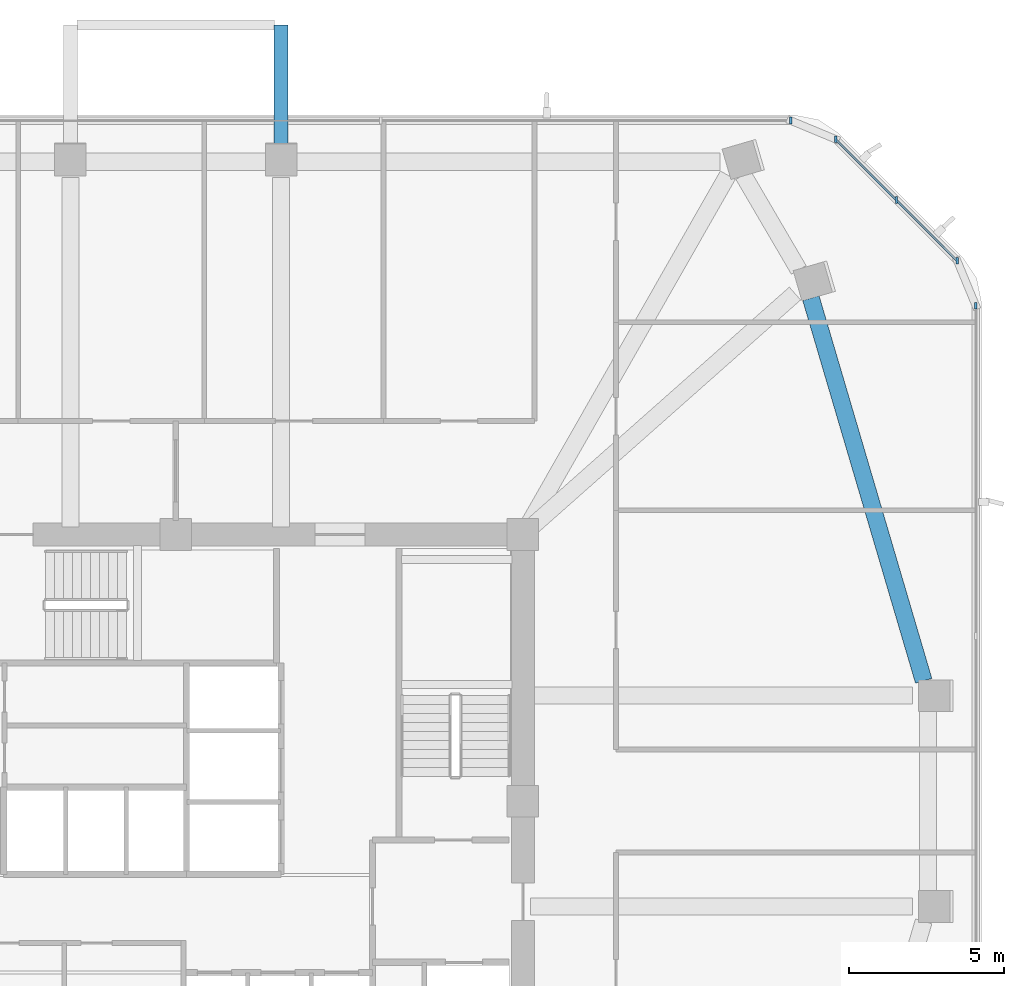
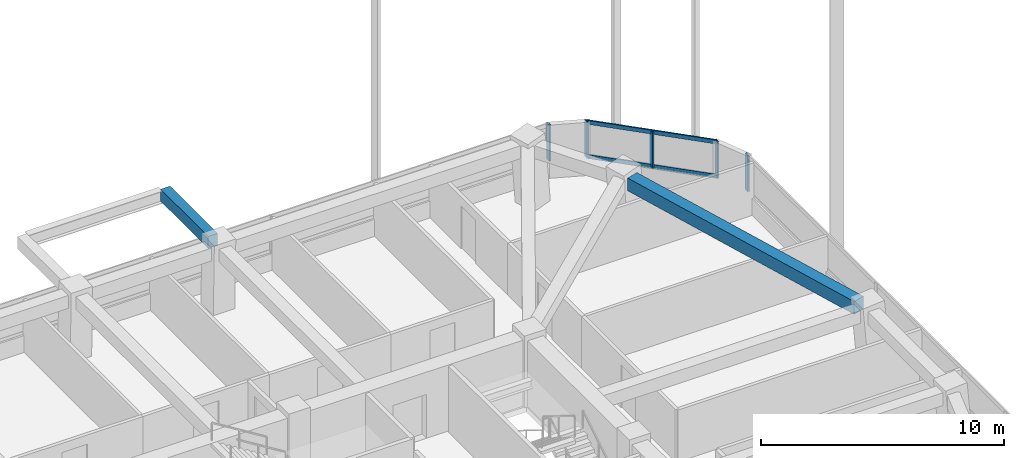
# One storey, part 6 of 15: 7 members, 2 beams, 3 elements without a shape of their own.
"""IFC4 building model written with IfcOpenShell, lengths in metres."""

from ifc_helpers import new_model, si_unit, derived_unit, direction, frame, origin, origin_2d, place, context, subcontext, project, spatial, rectangle, extrude, material, material_profile, profile_set, type_object, element, aggregate, save


model = new_model("IFC4")

# Units and contexts
model_context = context("Model", 3, precision=1e-05, world=origin(), true_north=direction((0.0, 1.0)))
body_context = subcontext(model_context, "Body", "Model", "MODEL_VIEW")
ifc_project = project(units=[si_unit("LENGTHUNIT", "METRE"), si_unit("AREAUNIT", "SQUARE_METRE"), si_unit("VOLUMEUNIT", "CUBIC_METRE"), si_unit("PLANEANGLEUNIT", "RADIAN"), si_unit("MASSUNIT", "GRAM", prefix="KILO"), derived_unit("THERMALTRANSMITTANCEUNIT", [(si_unit("POWERUNIT", "WATT"), 1), (si_unit("LENGTHUNIT", "METRE"), -2), (si_unit("THERMODYNAMICTEMPERATUREUNIT", "KELVIN"), -1)])], contexts=[model_context])

# Site, building, storey
site_placement = place(None, origin())
site = spatial("IfcSite", under=ifc_project, at=site_placement, CompositionType="ELEMENT")
building_placement = place(site_placement, origin())
building = spatial("IfcBuilding", under=site, at=building_placement, Name="Koralith Skygarden Medical Center", CompositionType="ELEMENT")
storey_placement = place(building_placement, frame((0.0, 0.0, 99.179931640625)))
storey = spatial("IfcBuildingStorey", under=building, at=storey_placement, Name="L25", CompositionType="ELEMENT", Elevation=99.179931640625)

# Curtain wall, member
ifc_material_1 = material(Name="Clear Laminated Glass", Category="glass")
curtain_wall_type = type_object("IfcCurtainWallType", Name="CW-3 Zone 2 Faceted Solar Curtain Wall", PredefinedType="NOTDEFINED", material=ifc_material_1)
curtain_wall_1_placement = place(storey_placement, origin())
curtain_wall_1 = element("IfcCurtainWall", 1, at=curtain_wall_1_placement, inside=storey, type_object=curtain_wall_type, Name="Curtain Wall CW-L25-E", PredefinedType="NOTDEFINED")
ifc_material_2 = material(Name="Aluminium 6063-T6", Category="aluminium")
ifc_material_profile_1 = material_profile(ifc_material_2, rectangle(XDim=0.073974609375, YDim=0.219970703125, at=origin_2d()), Name="MUL74X220")
ifc_profile_set_1 = profile_set([ifc_material_profile_1], Name="Aluminium 6063-T6")
member_type_1 = type_object("IfcMemberType", Name="CW-3 Extruded Mullion 74x220", PredefinedType="MULLION", material=ifc_profile_set_1)
member_1_placement = place(storey_placement, frame((62.81298828125, 41.87890625, 0.85009765625), z_axis=(0.0, 0.0, 1.0), x_axis=(1.0, 0.0, 0.0)))
member_1 = element("IfcMember", 2, at=member_1_placement, type_object=member_type_1, Name="CW-L25-E Mullion 4", PredefinedType="MULLION", context=body_context, shape_type="SweptSolid", body=[
    extrude(rectangle(XDim=0.073974609375, YDim=0.219970703125, at=origin_2d()), origin(), (0.0, 0.0, 1.0), 1.820068359375),
])
aggregate(curtain_wall_1, [member_1])

# Curtain wall, members
curtain_wall_2_placement = place(storey_placement, origin())
curtain_wall_2 = element("IfcCurtainWall", 3, at=curtain_wall_2_placement, inside=storey, type_object=curtain_wall_type, Name="Curtain Wall CW-L25-NE", PredefinedType="NOTDEFINED")
member_2_placement = place(storey_placement, frame((62.2119140625, 43.330078125, 0.85009765625), z_axis=(0.0, 0.0, 1.0), x_axis=(1.0, 0.0, 0.0)))
member_2 = element("IfcMember", 4, at=member_2_placement, type_object=member_type_1, Name="CW-L25-NE Mullion 1", PredefinedType="MULLION", context=body_context, shape_type="SweptSolid", body=[
    extrude(rectangle(XDim=0.073974609375, YDim=0.219970703125, at=origin_2d()), origin(), (0.0, 0.0, 1.0), 1.820068359375),
])
member_3_placement = place(storey_placement, frame((60.2509765625, 45.291015625, 0.85009765625), z_axis=(0.0, 0.0, 1.0), x_axis=(1.0, 0.0, 0.0)))
member_3 = element("IfcMember", 5, at=member_3_placement, type_object=member_type_1, Name="CW-L25-NE Mullion 2", PredefinedType="MULLION", context=body_context, shape_type="SweptSolid", body=[
    extrude(rectangle(XDim=0.073974609375, YDim=0.219970703125, at=origin_2d()), origin(), (0.0, 0.0, 1.0), 1.820068359375),
])
member_4_placement = place(storey_placement, frame((58.2890625, 47.2529296875, 0.85009765625), z_axis=(0.0, 0.0, 1.0), x_axis=(1.0, 0.0, 0.0)))
member_4 = element("IfcMember", 6, at=member_4_placement, type_object=member_type_1, Name="CW-L25-NE Mullion 3", PredefinedType="MULLION", context=body_context, shape_type="SweptSolid", body=[
    extrude(rectangle(XDim=0.073974609375, YDim=0.219970703125, at=origin_2d()), origin(), (0.0, 0.0, 1.0), 1.820068359375),
])

# Curtain wall, member
curtain_wall_3_placement = place(storey_placement, origin())
curtain_wall_3 = element("IfcCurtainWall", 7, at=curtain_wall_3_placement, inside=storey, type_object=curtain_wall_type, Name="Curtain Wall CW-L25-N", PredefinedType="NOTDEFINED")
member_5_placement = place(storey_placement, frame((56.837890625, 47.85498046875, 0.85009765625), z_axis=(0.0, 0.0, 1.0), x_axis=(1.0, 0.0, 0.0)))
member_5 = element("IfcMember", 8, at=member_5_placement, type_object=member_type_1, Name="CW-L25-N Mullion 1", PredefinedType="MULLION", context=body_context, shape_type="SweptSolid", body=[
    extrude(rectangle(XDim=0.073974609375, YDim=0.219970703125, at=origin_2d()), origin(), (0.0, 0.0, 1.0), 1.820068359375),
])
aggregate(curtain_wall_3, [member_5])

# Member
ifc_material_profile_2 = material_profile(ifc_material_2, rectangle(XDim=0.069091796875, YDim=0.197998046875, at=origin_2d()), Name="TRN69X198")
ifc_profile_set_2 = profile_set([ifc_material_profile_2], Name="Aluminium 6063-T6")
member_type_2 = type_object("IfcMemberType", Name="CW-3 Thermal Transom 69x198", PredefinedType="USERDEFINED", material=ifc_profile_set_2)
member_6_placement = place(storey_placement, frame((62.2119140625, 43.330078125, 0.900146484375), z_axis=(-0.707106781187, 0.707106781187, 0.0), x_axis=(-0.707106781187, -0.707106781187, 0.0)))
member_6 = element("IfcMember", 9, at=member_6_placement, type_object=member_type_2, Name="CW-L25-NE Transom 1", ObjectType="TRANSOM", PredefinedType="USERDEFINED", context=body_context, shape_type="SweptSolid", body=[
    extrude(rectangle(XDim=0.069091796875, YDim=0.197998046875, at=origin_2d()), origin(), (0.0, 0.0, 1.0), 5.5478515625),
])

member_7_placement = place(storey_placement, frame((62.2119140625, 43.330078125, 2.6201171875), z_axis=(-0.707106781187, 0.707106781187, 0.0), x_axis=(-0.707106781187, -0.707106781187, 0.0)))
member_7 = element("IfcMember", 10, at=member_7_placement, type_object=member_type_2, Name="CW-L25-NE Transom 2", ObjectType="TRANSOM", PredefinedType="USERDEFINED", context=body_context, shape_type="SweptSolid", body=[
    extrude(rectangle(XDim=0.069091796875, YDim=0.197998046875, at=origin_2d()), origin(), (0.0, 0.0, 1.0), 5.5478515625),
])

aggregate(curtain_wall_2, [member_2, member_3, member_4, member_6, member_7])

# Beams
ifc_material_3 = material(Name="Concrete C45/55", Category="concrete")
ifc_material_profile_3 = material_profile(ifc_material_3, rectangle(XDim=0.449951171875, YDim=0.60009765625, at=origin_2d()), Name="RCB450X600")
ifc_profile_set_3 = profile_set([ifc_material_profile_3], Name="Concrete C45/55")
beam_type_1 = type_object("IfcBeamType", Name="Planted Balcony Cantilever Beam RCB450X600", PredefinedType="BEAM", material=ifc_profile_set_3)
beam_1_placement = place(storey_placement, frame((40.39990234375, 47.01611328125, 3.0400390625), z_axis=(0.0, 1.0, 0.0), x_axis=(-1.0, 0.0, 0.0)))
element("IfcBeam", 11, at=beam_1_placement, inside=storey, type_object=beam_type_1, Name="L26 N Balcony Cantilever Beam B", PredefinedType="BEAM", context=body_context, shape_type="SweptSolid", body=[
    extrude(rectangle(XDim=0.449951171875, YDim=0.60009765625, at=origin_2d()), origin(), (0.0, 0.0, 1.0), 3.919921875),
])
ifc_material_profile_4 = material_profile(ifc_material_3, rectangle(XDim=0.550048828125, YDim=0.639892578125, at=origin_2d()), Name="RCB550X640")
ifc_profile_set_4 = profile_set([ifc_material_profile_4], Name="Concrete C45/55")
beam_type_2 = type_object("IfcBeamType", Name="Zone 2-3 Spandrel Beam RCB550X640", PredefinedType="SPANDREL", material=ifc_profile_set_4)
beam_2_placement = place(storey_placement, frame((61.1298828125, 29.780029296875, 3.0), z_axis=(-0.282651014076, 0.959222812616, 0.0), x_axis=(-0.959222812616, -0.282651014076, 0.0)))
element("IfcBeam", 12, at=beam_2_placement, inside=storey, type_object=beam_type_2, Name="L25 Perimeter Spandrel Beam SP-09", PredefinedType="SPANDREL", context=body_context, shape_type="SweptSolid", body=[
    extrude(rectangle(XDim=0.550048828125, YDim=0.639892578125, at=origin_2d()), origin(), (0.0, 0.0, 1.0), 12.870849609375),
])

save(model, "model.ifc")
